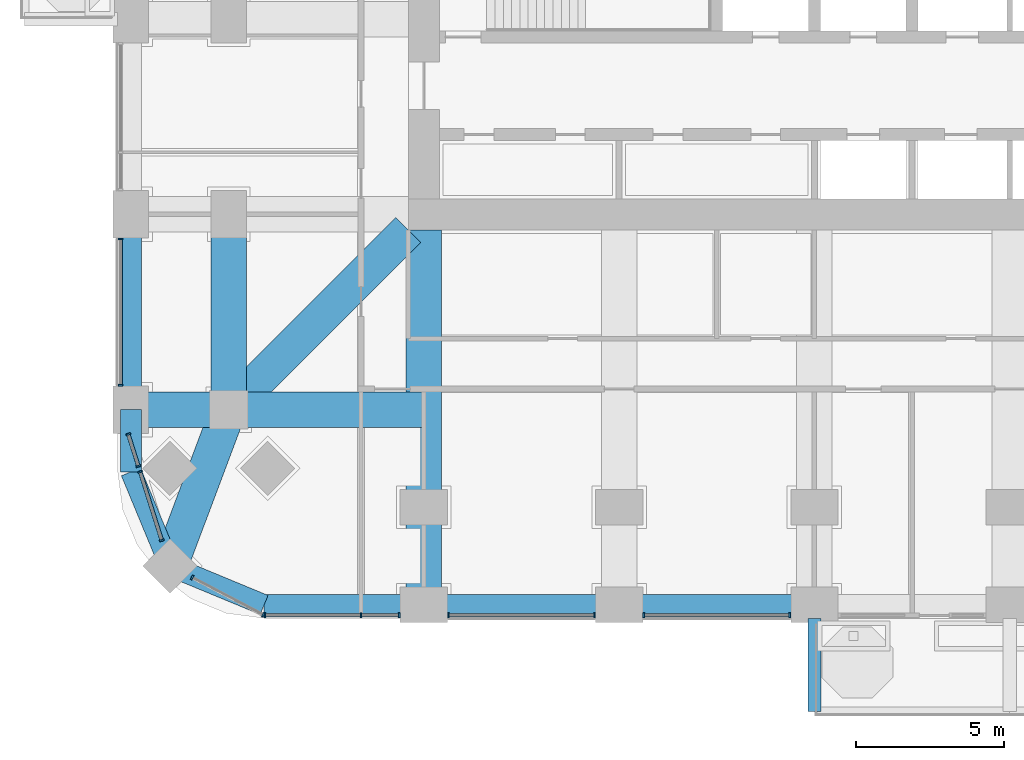
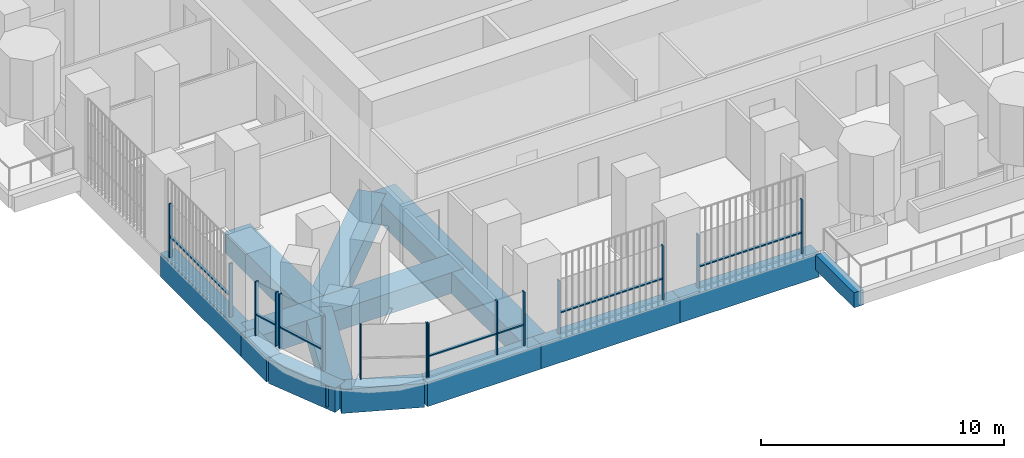
# One storey, part 2 of 23: 22 members, 14 beams, 7 elements without a shape of their own.
"""IFC4 building model written with IfcOpenShell, lengths in metres."""

from ifc_helpers import new_model, si_unit, direction, frame, origin, origin_2d, place, context, subcontext, project, spatial, rectangle, extrude, material, material_profile, profile_set, type_object, element, aggregate, save


model = new_model("IFC4")

# Units and contexts
model_context = context("Model", 3, precision=1e-05, world=origin(), true_north=direction((0.0, 1.0)))
body_context = subcontext(model_context, "Body", "Model", "MODEL_VIEW")
ifc_project = project(units=[si_unit("LENGTHUNIT", "METRE"), si_unit("AREAUNIT", "SQUARE_METRE"), si_unit("VOLUMEUNIT", "CUBIC_METRE"), si_unit("PLANEANGLEUNIT", "RADIAN"), si_unit("MASSUNIT", "GRAM", prefix="KILO")], contexts=[model_context])

# Site, building, storey
site_placement = place(None, origin())
site = spatial("IfcSite", under=ifc_project, at=site_placement, CompositionType="ELEMENT")
building_placement = place(site_placement, origin())
building = spatial("IfcBuilding", under=site, at=building_placement, Name="Cobogo Forest Laboratory Tower", CompositionType="ELEMENT")
storey_placement = place(building_placement, frame((0.0, 0.0, 103.199951171875)))
storey = spatial("IfcBuildingStorey", under=building, at=storey_placement, Name="L23", CompositionType="ELEMENT", Elevation=103.199951171875)

# Beams
ifc_material_1 = material(Name="Concrete HA-40 (C40/50)", Category="concrete")
ifc_material_profile_1 = material_profile(ifc_material_1, rectangle(XDim=0.449951171875, YDim=0.75, at=origin_2d()), Name="RC 450x750")
ifc_profile_set_1 = profile_set([ifc_material_profile_1], Name="Concrete HA-40 (C40/50)")
beam_type_1 = type_object("IfcBeamType", Name="Balcony cantilever beam 450x750", PredefinedType="BEAM", material=ifc_profile_set_1)
beam_1_placement = place(storey_placement, frame((26.39990234375, -0.449951171875, -0.625), z_axis=(0.0, -1.0, 0.0), x_axis=(1.0, 0.0, 0.0)))
element("IfcBeam", 1, at=beam_1_placement, inside=storey, type_object=beam_type_1, Name="CB1 BAL-S1-C1 L23", PredefinedType="BEAM", context=body_context, shape_type="SweptSolid", body=[
    extrude(rectangle(XDim=0.449951171875, YDim=0.75, at=origin_2d()), origin(), (0.0, 0.0, 1.0), 3.150146484375),
])
ifc_material_profile_2 = material_profile(ifc_material_1, rectangle(XDim=1.199951171875, YDim=1.050048828125, at=origin_2d()), Name="RC 1200x1050")
ifc_profile_set_2 = profile_set([ifc_material_profile_2], Name="Concrete HA-40 (C40/50)")
beam_type_2 = type_object("IfcBeamType", Name="Laboratory floor wide beam 1200x1050", PredefinedType="BEAM", material=ifc_profile_set_2)
beam_2_placement = place(storey_placement, frame((13.199951171875, 12.675048828125, -0.824951171875), z_axis=(0.0, -1.0, 0.0), x_axis=(1.0, 0.0, 0.0)))
element("IfcBeam", 2, at=beam_2_placement, inside=storey, type_object=beam_type_2, Name="RB1 R-3-S L23", PredefinedType="BEAM", context=body_context, shape_type="SweptSolid", body=[
    extrude(rectangle(XDim=1.199951171875, YDim=1.050048828125, at=origin_2d()), origin(), (0.0, 0.0, 1.0), 12.675048828125),
])
beam_3_placement = place(storey_placement, frame((6.60009765625, 6.60009765625, -0.824951171875), z_axis=(0.0, 1.0, 0.0), x_axis=(-1.0, 0.0, 0.0)))
element("IfcBeam", 3, at=beam_3_placement, inside=storey, type_object=beam_type_2, Name="RB1 G-SW-XC L23", PredefinedType="BEAM", context=body_context, shape_type="SweptSolid", body=[
    extrude(rectangle(XDim=1.199951171875, YDim=1.050048828125, at=origin_2d()), origin(), (0.0, 0.0, 1.0), 6.599853515625),
])
beam_4_placement = place(storey_placement, frame((3.300048828125, 6.60009765625, -0.824951171875), z_axis=(1.0, 0.0, 0.0), x_axis=(0.0, 1.0, 0.0)))
element("IfcBeam", 4, at=beam_4_placement, inside=storey, type_object=beam_type_2, Name="RB1 G-SW-YF L23", PredefinedType="BEAM", context=body_context, shape_type="SweptSolid", body=[
    extrude(rectangle(XDim=1.199951171875, YDim=1.050048828125, at=origin_2d()), origin(), (0.0, 0.0, 1.0), 3.300048828125),
])
beam_5_placement = place(storey_placement, frame((6.60009765625, 6.60009765625, -0.824951171875), z_axis=(1.0, 0.0, 0.0), x_axis=(0.0, 1.0, 0.0)))
element("IfcBeam", 5, at=beam_5_placement, inside=storey, type_object=beam_type_2, Name="RB1 G-SW-YC L23", PredefinedType="BEAM", context=body_context, shape_type="SweptSolid", body=[
    extrude(rectangle(XDim=1.199951171875, YDim=1.050048828125, at=origin_2d()), origin(), (0.0, 0.0, 1.0), 6.599853515625),
])
beam_6_placement = place(storey_placement, frame((4.617919921875, 1.318115234375, -0.824951171875), z_axis=(0.351346325373, 0.936245565889, 0.0), x_axis=(-0.936245565889, 0.351346325373, 0.0)))
element("IfcBeam", 6, at=beam_6_placement, inside=storey, type_object=beam_type_2, Name="RB1 G-SW-D1 L23", PredefinedType="BEAM", context=body_context, shape_type="SweptSolid", body=[
    extrude(rectangle(XDim=1.199951171875, YDim=1.050048828125, at=origin_2d()), origin(), (0.0, 0.0, 1.0), 5.6416015625),
])
beam_7_placement = place(storey_placement, frame((6.60009765625, 6.60009765625, -0.824951171875), z_axis=(0.707106781187, 0.707106781187, 0.0), x_axis=(-0.707106781187, 0.707106781187, 0.0)))
element("IfcBeam", 7, at=beam_7_placement, inside=storey, type_object=beam_type_2, Name="RB1 G-SW-D2 L23", PredefinedType="BEAM", context=body_context, shape_type="SweptSolid", body=[
    extrude(rectangle(XDim=1.199951171875, YDim=1.050048828125, at=origin_2d()), origin(), (0.0, 0.0, 1.0), 8.59130859375),
])

# Curtain wall, members
ifc_material_2 = material(Name="Aluminium curtain wall", Category="aluminium")
curtain_wall_type = type_object("IfcCurtainWallType", Name="CW-1 unitised curtain wall, clear glazing, laboratory floors zones A and B", PredefinedType="USERDEFINED", material=ifc_material_2)
curtain_wall_1_placement = place(storey_placement, origin())
curtain_wall_1 = element("IfcCurtainWall", 8, at=curtain_wall_1_placement, inside=storey, type_object=curtain_wall_type, Name="Curtain wall 01 L23", ObjectType="UNITISED CURTAIN WALL", PredefinedType="USERDEFINED")
ifc_material_3 = material(Name="Aluminium mullion", Category="aluminium")
ifc_material_profile_3 = material_profile(ifc_material_3, rectangle(XDim=0.06005859375, YDim=0.159912109375, at=origin_2d()), Name="AL 60x160")
ifc_profile_set_3 = profile_set([ifc_material_profile_3], Name="Aluminium mullion")
member_type_1 = type_object("IfcMemberType", Name="MU-1 aluminium mullion 60x160", PredefinedType="MULLION", material=ifc_profile_set_3)
member_1_placement = place(storey_placement, frame((7.830078125, -0.35009765625, 0.0), z_axis=(0.0, 0.0, 1.0), x_axis=(1.0, 0.0, 0.0)))
member_1 = element("IfcMember", 9, at=member_1_placement, type_object=member_type_1, Name="CW-1 mullion 1", PredefinedType="MULLION", context=body_context, shape_type="SweptSolid", body=[
    extrude(rectangle(XDim=0.06005859375, YDim=0.159912109375, at=origin_2d()), origin(), (0.0, 0.0, 1.0), 2.699951171875),
])
member_2_placement = place(storey_placement, frame((11.074951171875, -0.35009765625, 0.0), z_axis=(0.0, 0.0, 1.0), x_axis=(1.0, 0.0, 0.0)))
member_2 = element("IfcMember", 10, at=member_2_placement, type_object=member_type_1, Name="CW-1 mullion 2", PredefinedType="MULLION", context=body_context, shape_type="SweptSolid", body=[
    extrude(rectangle(XDim=0.06005859375, YDim=0.159912109375, at=origin_2d()), origin(), (0.0, 0.0, 1.0), 2.699951171875),
])
member_3_placement = place(storey_placement, frame((12.3701171875, -0.35009765625, 0.0), z_axis=(0.0, 0.0, 1.0), x_axis=(1.0, 0.0, 0.0)))
member_3 = element("IfcMember", 11, at=member_3_placement, type_object=member_type_1, Name="CW-1 mullion 3", PredefinedType="MULLION", context=body_context, shape_type="SweptSolid", body=[
    extrude(rectangle(XDim=0.06005859375, YDim=0.159912109375, at=origin_2d()), origin(), (0.0, 0.0, 1.0), 2.699951171875),
])

curtain_wall_2_placement = place(storey_placement, origin())
curtain_wall_2 = element("IfcCurtainWall", 12, at=curtain_wall_2_placement, inside=storey, type_object=curtain_wall_type, Name="Curtain wall 02 L23", ObjectType="UNITISED CURTAIN WALL", PredefinedType="USERDEFINED")
member_4_placement = place(storey_placement, frame((14.030029296875, -0.35009765625, 0.0), z_axis=(0.0, 0.0, 1.0), x_axis=(1.0, 0.0, 0.0)))
member_4 = element("IfcMember", 13, at=member_4_placement, type_object=member_type_1, Name="CW-1 mullion 1", PredefinedType="MULLION", context=body_context, shape_type="SweptSolid", body=[
    extrude(rectangle(XDim=0.06005859375, YDim=0.159912109375, at=origin_2d()), origin(), (0.0, 0.0, 1.0), 2.699951171875),
])
member_5_placement = place(storey_placement, frame((18.969970703125, -0.35009765625, 0.0), z_axis=(0.0, 0.0, 1.0), x_axis=(1.0, 0.0, 0.0)))
member_5 = element("IfcMember", 14, at=member_5_placement, type_object=member_type_1, Name="CW-1 mullion 2", PredefinedType="MULLION", context=body_context, shape_type="SweptSolid", body=[
    extrude(rectangle(XDim=0.06005859375, YDim=0.159912109375, at=origin_2d()), origin(), (0.0, 0.0, 1.0), 2.699951171875),
])

curtain_wall_3_placement = place(storey_placement, origin())
curtain_wall_3 = element("IfcCurtainWall", 15, at=curtain_wall_3_placement, inside=storey, type_object=curtain_wall_type, Name="Curtain wall 03 L23", ObjectType="UNITISED CURTAIN WALL", PredefinedType="USERDEFINED")
member_6_placement = place(storey_placement, frame((20.6298828125, -0.35009765625, 0.0), z_axis=(0.0, 0.0, 1.0), x_axis=(1.0, 0.0, 0.0)))
member_6 = element("IfcMember", 16, at=member_6_placement, type_object=member_type_1, Name="CW-1 mullion 1", PredefinedType="MULLION", context=body_context, shape_type="SweptSolid", body=[
    extrude(rectangle(XDim=0.06005859375, YDim=0.159912109375, at=origin_2d()), origin(), (0.0, 0.0, 1.0), 2.699951171875),
])
member_7_placement = place(storey_placement, frame((25.570068359375, -0.35009765625, 0.0), z_axis=(0.0, 0.0, 1.0), x_axis=(1.0, 0.0, 0.0)))
member_7 = element("IfcMember", 17, at=member_7_placement, type_object=member_type_1, Name="CW-1 mullion 2", PredefinedType="MULLION", context=body_context, shape_type="SweptSolid", body=[
    extrude(rectangle(XDim=0.06005859375, YDim=0.159912109375, at=origin_2d()), origin(), (0.0, 0.0, 1.0), 2.699951171875),
])

curtain_wall_4_placement = place(storey_placement, origin())
curtain_wall_4 = element("IfcCurtainWall", 18, at=curtain_wall_4_placement, inside=storey, type_object=curtain_wall_type, Name="Curtain wall 31 L23", ObjectType="UNITISED CURTAIN WALL", PredefinedType="USERDEFINED")
member_8_placement = place(storey_placement, frame((2.949951171875, 12.3701171875, 0.0), z_axis=(0.0, 0.0, 1.0), x_axis=(0.0, -1.0, 0.0)))
member_8 = element("IfcMember", 19, at=member_8_placement, type_object=member_type_1, Name="CW-1 mullion 1", PredefinedType="MULLION", context=body_context, shape_type="SweptSolid", body=[
    extrude(rectangle(XDim=0.06005859375, YDim=0.159912109375, at=origin_2d()), origin(), (0.0, 0.0, 1.0), 2.699951171875),
])
member_9_placement = place(storey_placement, frame((2.949951171875, 7.429931640625, 0.0), z_axis=(0.0, 0.0, 1.0), x_axis=(0.0, -1.0, 0.0)))
member_9 = element("IfcMember", 20, at=member_9_placement, type_object=member_type_1, Name="CW-1 mullion 2", PredefinedType="MULLION", context=body_context, shape_type="SweptSolid", body=[
    extrude(rectangle(XDim=0.06005859375, YDim=0.159912109375, at=origin_2d()), origin(), (0.0, 0.0, 1.0), 2.699951171875),
])

curtain_wall_5_placement = place(storey_placement, origin())
curtain_wall_5 = element("IfcCurtainWall", 21, at=curtain_wall_5_placement, inside=storey, type_object=curtain_wall_type, Name="Curtain wall 32 L23", ObjectType="UNITISED CURTAIN WALL", PredefinedType="USERDEFINED")
member_10_placement = place(storey_placement, frame((3.211669921875, 5.771484375, 0.0), z_axis=(0.0, 0.0, 1.0), x_axis=(0.301135667865, -0.953581307252, 0.0)))
member_10 = element("IfcMember", 22, at=member_10_placement, type_object=member_type_1, Name="CW-1 mullion 1", PredefinedType="MULLION", context=body_context, shape_type="SweptSolid", body=[
    extrude(rectangle(XDim=0.06005859375, YDim=0.159912109375, at=origin_2d()), origin(), (0.0, 0.0, 1.0), 2.699951171875),
])
member_11_placement = place(storey_placement, frame((3.55224609375, 4.69287109375, 0.0), z_axis=(0.0, 0.0, 1.0), x_axis=(0.301135667865, -0.953581307252, 0.0)))
member_11 = element("IfcMember", 23, at=member_11_placement, type_object=member_type_1, Name="CW-1 mullion 2", PredefinedType="MULLION", context=body_context, shape_type="SweptSolid", body=[
    extrude(rectangle(XDim=0.06005859375, YDim=0.159912109375, at=origin_2d()), origin(), (0.0, 0.0, 1.0), 2.699951171875),
])

curtain_wall_6_placement = place(storey_placement, origin())
curtain_wall_6 = element("IfcCurtainWall", 24, at=curtain_wall_6_placement, inside=storey, type_object=curtain_wall_type, Name="Curtain wall 33 L23", ObjectType="UNITISED CURTAIN WALL", PredefinedType="USERDEFINED")
member_12_placement = place(storey_placement, frame((3.613037109375, 4.500244140625, 0.0), z_axis=(0.0, 0.0, 1.0), x_axis=(0.301135291996, -0.953581425949, 0.0)))
member_12 = element("IfcMember", 25, at=member_12_placement, type_object=member_type_1, Name="CW-1 mullion 1", PredefinedType="MULLION", context=body_context, shape_type="SweptSolid", body=[
    extrude(rectangle(XDim=0.06005859375, YDim=0.159912109375, at=origin_2d()), origin(), (0.0, 0.0, 1.0), 2.699951171875),
])
member_13_placement = place(storey_placement, frame((4.34423828125, 2.18505859375, 0.0), z_axis=(0.0, 0.0, 1.0), x_axis=(0.301135291996, -0.953581425949, 0.0)))
member_13 = element("IfcMember", 26, at=member_13_placement, type_object=member_type_1, Name="CW-1 mullion 2", PredefinedType="MULLION", context=body_context, shape_type="SweptSolid", body=[
    extrude(rectangle(XDim=0.06005859375, YDim=0.159912109375, at=origin_2d()), origin(), (0.0, 0.0, 1.0), 2.699951171875),
])

curtain_wall_7_placement = place(storey_placement, origin())
curtain_wall_7 = element("IfcCurtainWall", 27, at=curtain_wall_7_placement, inside=storey, type_object=curtain_wall_type, Name="Curtain wall 34 L23", ObjectType="UNITISED CURTAIN WALL", PredefinedType="USERDEFINED")
member_14_placement = place(storey_placement, frame((5.368408203125, 0.9248046875, 0.0), z_axis=(0.0, 0.0, 1.0), x_axis=(0.885686547075, -0.464283685186, 0.0)))
member_14 = element("IfcMember", 28, at=member_14_placement, type_object=member_type_1, Name="CW-1 mullion 1", PredefinedType="MULLION", context=body_context, shape_type="SweptSolid", body=[
    extrude(rectangle(XDim=0.06005859375, YDim=0.159912109375, at=origin_2d()), origin(), (0.0, 0.0, 1.0), 2.699951171875),
])
member_15_placement = place(storey_placement, frame((7.7734375, -0.336181640625, 0.0), z_axis=(0.0, 0.0, 1.0), x_axis=(0.885686547075, -0.464283685186, 0.0)))
member_15 = element("IfcMember", 29, at=member_15_placement, type_object=member_type_1, Name="CW-1 mullion 2", PredefinedType="MULLION", context=body_context, shape_type="SweptSolid", body=[
    extrude(rectangle(XDim=0.06005859375, YDim=0.159912109375, at=origin_2d()), origin(), (0.0, 0.0, 1.0), 2.699951171875),
])
aggregate(curtain_wall_7, [member_14, member_15])

# Beams
ifc_material_profile_4 = material_profile(ifc_material_1, rectangle(XDim=0.699951171875, YDim=1.199951171875, at=origin_2d()), Name="RC 700x1200")
ifc_profile_set_4 = profile_set([ifc_material_profile_4], Name="Concrete HA-40 (C40/50)")
beam_type_3 = type_object("IfcBeamType", Name="Perimeter edge beam 700x1200", PredefinedType="BEAM", material=ifc_profile_set_4)
beam_8_placement = place(storey_placement, frame((13.199951171875, 0.0, -0.89990234375), z_axis=(1.0, 0.0, 0.0), x_axis=(0.0, 1.0, 0.0)))
element("IfcBeam", 30, at=beam_8_placement, inside=storey, type_object=beam_type_3, Name="EB1 E-S1 L23", PredefinedType="BEAM", context=body_context, shape_type="SweptSolid", body=[
    extrude(rectangle(XDim=0.699951171875, YDim=1.199951171875, at=origin_2d()), origin(), (0.0, 0.0, 1.0), 6.60009765625),
])
for number, where, z_axis, x_axis, name in (
    (31, (19.800048828125, 0.0, -0.89990234375), (1.0, 0.0, 0.0), (0.0, 1.0, 0.0), "EB1 E-S2 L23"),
    (32, (3.300048828125, 6.60009765625, -0.89990234375), (0.0, 1.0, 0.0), (-1.0, 0.0, 0.0), "EB1 E-W1 L23"),
):
    element("IfcBeam", number, at=place(storey_placement, frame(where, z_axis=z_axis, x_axis=x_axis)), inside=storey, type_object=beam_type_3, Name=name, PredefinedType="BEAM", context=body_context, shape_type="SweptSolid", body=[
        extrude(rectangle(XDim=0.699951171875, YDim=1.199951171875, at=origin_2d()), origin(), (0.0, 0.0, 1.0), 6.599853515625),
    ])
beam_9_placement = place(storey_placement, frame((13.199951171875, 0.0, -0.89990234375), z_axis=(-1.0, 0.0, 0.0), x_axis=(0.0, -1.0, 0.0)))
element("IfcBeam", 33, at=beam_9_placement, inside=storey, type_object=beam_type_3, Name="EB1 E-SWS1 L23", PredefinedType="BEAM", context=body_context, shape_type="SweptSolid", body=[
    extrude(rectangle(XDim=0.699951171875, YDim=1.199951171875, at=origin_2d()), origin(), (0.0, 0.0, 1.0), 5.39990234375),
])
beam_10_placement = place(storey_placement, frame((7.800048828125, 0.0, -0.89990234375), z_axis=(-0.923876013265, 0.382691928466, 0.0), x_axis=(-0.382691928466, -0.923876013265, 0.0)))
element("IfcBeam", 34, at=beam_10_placement, inside=storey, type_object=beam_type_3, Name="EB1 E-SWS2 L23", PredefinedType="BEAM", context=body_context, shape_type="SweptSolid", body=[
    extrude(rectangle(XDim=0.699951171875, YDim=1.199951171875, at=origin_2d()), origin(), (0.0, 0.0, 1.0), 3.4443359375),
])
beam_11_placement = place(storey_placement, frame((3.300048828125, 6.60009765625, -0.89990234375), z_axis=(0.0, -1.0, 0.0), x_axis=(1.0, 0.0, 0.0)))
element("IfcBeam", 35, at=beam_11_placement, inside=storey, type_object=beam_type_3, Name="EB1 E-SWW1 L23", PredefinedType="BEAM", context=body_context, shape_type="SweptSolid", body=[
    extrude(rectangle(XDim=0.699951171875, YDim=1.199951171875, at=origin_2d()), origin(), (0.0, 0.0, 1.0), 2.10009765625),
])
beam_12_placement = place(storey_placement, frame((3.300048828125, 4.5, -0.89990234375), z_axis=(0.382656484822, -0.923890694089, 0.0), x_axis=(0.923890694089, 0.382656484822, 0.0)))
element("IfcBeam", 36, at=beam_12_placement, inside=storey, type_object=beam_type_3, Name="EB1 E-SWW2 L23", PredefinedType="BEAM", context=body_context, shape_type="SweptSolid", body=[
    extrude(rectangle(XDim=0.699951171875, YDim=1.199951171875, at=origin_2d()), origin(), (0.0, 0.0, 1.0), 3.444091796875),
])

# Member
ifc_material_4 = material(Name="Aluminium transom", Category="aluminium")
ifc_material_profile_5 = material_profile(ifc_material_4, rectangle(XDim=0.1201171875, YDim=0.06005859375, at=origin_2d()), Name="AL 60x120")
ifc_profile_set_5 = profile_set([ifc_material_profile_5], Name="Aluminium transom")
member_type_2 = type_object("IfcMemberType", Name="TR-1 aluminium transom 60x120", PredefinedType="USERDEFINED", material=ifc_profile_set_5)
member_16_placement = place(storey_placement, frame((7.860107421875, -0.35009765625, 1.050048828125), z_axis=(1.0, 0.0, 0.0), x_axis=(0.0, 1.0, 0.0)))
member_16 = element("IfcMember", 37, at=member_16_placement, type_object=member_type_2, Name="CW-1 transom 1.1", ObjectType="TRANSOM", PredefinedType="USERDEFINED", context=body_context, shape_type="SweptSolid", body=[
    extrude(rectangle(XDim=0.1201171875, YDim=0.06005859375, at=origin_2d()), origin(), (0.0, 0.0, 1.0), 3.184814453125),
])

member_17_placement = place(storey_placement, frame((11.10498046875, -0.35009765625, 1.050048828125), z_axis=(1.0, 0.0, 0.0), x_axis=(0.0, 1.0, 0.0)))
member_17 = element("IfcMember", 38, at=member_17_placement, type_object=member_type_2, Name="CW-1 transom 2.1", ObjectType="TRANSOM", PredefinedType="USERDEFINED", context=body_context, shape_type="SweptSolid", body=[
    extrude(rectangle(XDim=0.1201171875, YDim=0.06005859375, at=origin_2d()), origin(), (0.0, 0.0, 1.0), 1.235107421875),
])

aggregate(curtain_wall_1, [member_1, member_2, member_3, member_16, member_17])

member_18_placement = place(storey_placement, frame((14.06005859375, -0.35009765625, 1.050048828125), z_axis=(1.0, 0.0, 0.0), x_axis=(0.0, 1.0, 0.0)))
member_18 = element("IfcMember", 39, at=member_18_placement, type_object=member_type_2, Name="CW-1 transom 1.1", ObjectType="TRANSOM", PredefinedType="USERDEFINED", context=body_context, shape_type="SweptSolid", body=[
    extrude(rectangle(XDim=0.1201171875, YDim=0.06005859375, at=origin_2d()), origin(), (0.0, 0.0, 1.0), 4.8798828125),
])

aggregate(curtain_wall_2, [member_4, member_5, member_18])

member_19_placement = place(storey_placement, frame((20.659912109375, -0.35009765625, 1.050048828125), z_axis=(1.0, 0.0, 0.0), x_axis=(0.0, 1.0, 0.0)))
member_19 = element("IfcMember", 40, at=member_19_placement, type_object=member_type_2, Name="CW-1 transom 1.1", ObjectType="TRANSOM", PredefinedType="USERDEFINED", context=body_context, shape_type="SweptSolid", body=[
    extrude(rectangle(XDim=0.1201171875, YDim=0.06005859375, at=origin_2d()), origin(), (0.0, 0.0, 1.0), 4.880126953125),
])

aggregate(curtain_wall_3, [member_6, member_7, member_19])

member_20_placement = place(storey_placement, frame((2.949951171875, 12.340087890625, 1.050048828125), z_axis=(0.0, -1.0, 0.0), x_axis=(1.0, 0.0, 0.0)))
member_20 = element("IfcMember", 41, at=member_20_placement, type_object=member_type_2, Name="CW-1 transom 1.1", ObjectType="TRANSOM", PredefinedType="USERDEFINED", context=body_context, shape_type="SweptSolid", body=[
    extrude(rectangle(XDim=0.1201171875, YDim=0.06005859375, at=origin_2d()), origin(), (0.0, 0.0, 1.0), 4.880126953125),
])

aggregate(curtain_wall_4, [member_8, member_9, member_20])

member_21_placement = place(storey_placement, frame((3.220703125, 5.74267578125, 1.050048828125), z_axis=(0.301207754852, -0.953558539586, 0.0), x_axis=(0.953558539586, 0.301207754852, 0.0)))
member_21 = element("IfcMember", 42, at=member_21_placement, type_object=member_type_2, Name="CW-1 transom 1.1", ObjectType="TRANSOM", PredefinedType="USERDEFINED", context=body_context, shape_type="SweptSolid", body=[
    extrude(rectangle(XDim=0.1201171875, YDim=0.06005859375, at=origin_2d()), origin(), (0.0, 0.0, 1.0), 1.07080078125),
])

aggregate(curtain_wall_5, [member_10, member_11, member_21])

member_22_placement = place(storey_placement, frame((3.6220703125, 4.4716796875, 1.050048828125), z_axis=(0.301156039198, -0.953574873859, 0.0), x_axis=(0.953574873859, 0.301156039198, 0.0)))
member_22 = element("IfcMember", 43, at=member_22_placement, type_object=member_type_2, Name="CW-1 transom 1.1", ObjectType="TRANSOM", PredefinedType="USERDEFINED", context=body_context, shape_type="SweptSolid", body=[
    extrude(rectangle(XDim=0.1201171875, YDim=0.06005859375, at=origin_2d()), origin(), (0.0, 0.0, 1.0), 2.367919921875),
])

aggregate(curtain_wall_6, [member_12, member_13, member_22])

save(model, "model.ifc")
